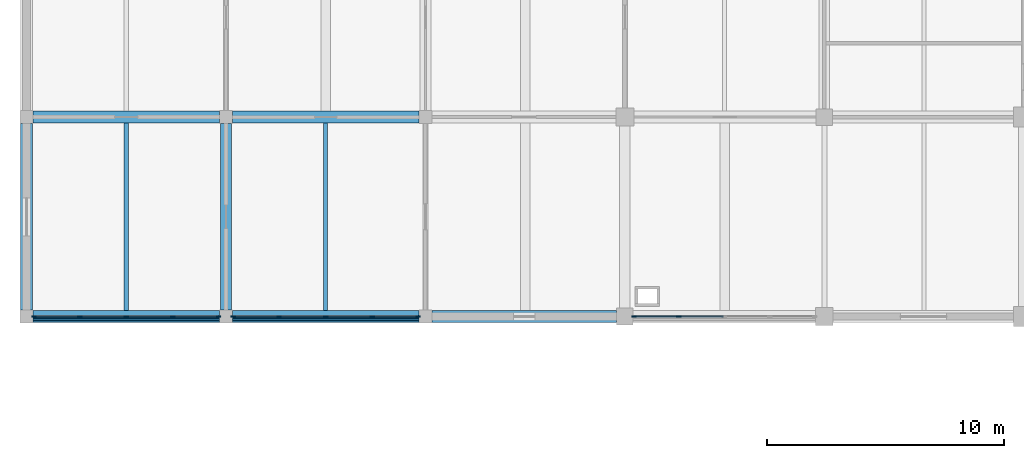
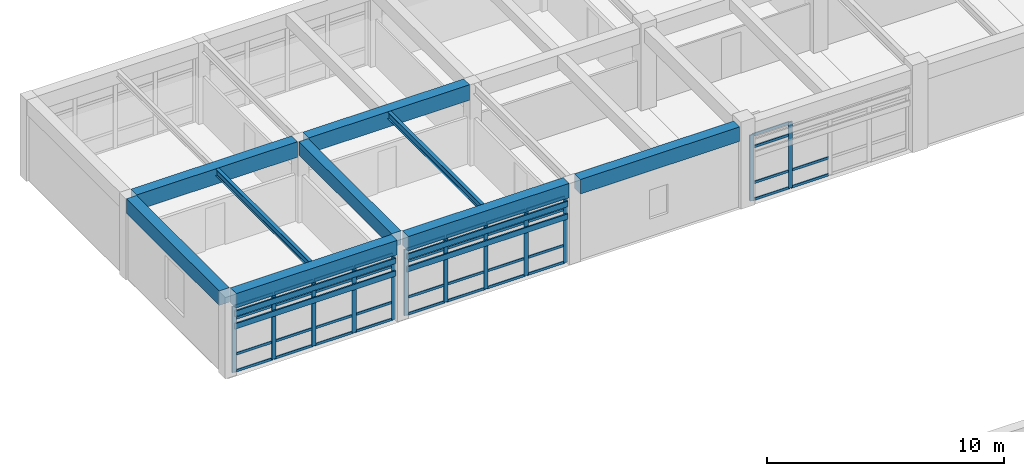
# One storey, part 26 of 99: 54 members, 9 beams, 3 elements without a shape of their own.
"""IFC4 building model written with IfcOpenShell, lengths in metres."""

from ifc_helpers import new_model, si_unit, direction, frame, origin, origin_2d, place, context, subcontext, project, spatial, rectangle, i_section, extrude, material, layer, layer_set, material_profile, profile_set, type_object, element, aggregate, save


model = new_model("IFC4")

# Units and contexts
model_context = context("Model", 3, precision=1e-05, world=origin(), true_north=direction((0.0, 1.0)))
body_context = subcontext(model_context, "Body", "Model", "MODEL_VIEW")
ifc_project = project(units=[si_unit("LENGTHUNIT", "METRE"), si_unit("AREAUNIT", "SQUARE_METRE"), si_unit("VOLUMEUNIT", "CUBIC_METRE"), si_unit("PLANEANGLEUNIT", "RADIAN"), si_unit("MASSUNIT", "GRAM", prefix="KILO")], contexts=[model_context])

# Site, building, storey
site_placement = place(None, origin())
site = spatial("IfcSite", under=ifc_project, at=site_placement, CompositionType="ELEMENT")
building_placement = place(site_placement, origin())
building = spatial("IfcBuilding", under=site, at=building_placement, Name="Porcellanite Civic Hall", CompositionType="ELEMENT")
storey_placement = place(building_placement, frame((0.0, 0.0, 5.760009765625)))
storey = spatial("IfcBuildingStorey", under=building, at=storey_placement, Name="L01", CompositionType="ELEMENT", Elevation=5.760009765625)

# Beams
ifc_material_1 = material(Name="Concrete N50 (50 MPa)", Category="concrete")
ifc_material_profile_1 = material_profile(ifc_material_1, rectangle(XDim=0.449951171875, YDim=0.699951171875, at=origin_2d()), Name="RC-450x700")
ifc_profile_set_1 = profile_set([ifc_material_profile_1], Name="Concrete N50 (50 MPa)")
beam_type_1 = type_object("IfcBeamType", Name="BM-RC700", PredefinedType="BEAM", material=ifc_profile_set_1)
beam_1_placement = place(storey_placement, frame((8.39990234375, 101.074462890625, 3.85009765625), z_axis=(0.0, 1.0, 0.0), x_axis=(-1.0, 0.0, 0.0)))
element("IfcBeam", 1, at=beam_1_placement, inside=storey, type_object=beam_type_1, Name="Beam Y L01 2-13", PredefinedType="BEAM", context=body_context, shape_type="SweptSolid", body=[
    extrude(rectangle(XDim=0.449951171875, YDim=0.699951171875, at=origin_2d()), origin(), (0.0, 0.0, 1.0), 7.85107421875),
])
ifc_material_2 = material(Name="Concrete N50 (50 MPa)", Category="concrete")
ifc_material_profile_2 = material_profile(ifc_material_2, rectangle(XDim=0.5, YDim=0.75, at=origin_2d()), Name="RC-500x750")
ifc_profile_set_2 = profile_set([ifc_material_profile_2], Name="Concrete N50 (50 MPa)")
beam_type_2 = type_object("IfcBeamType", Name="BM-RC750", PredefinedType="SPANDREL", material=ifc_profile_set_2)
beam_2_placement = place(storey_placement, frame((0.2744140625, 100.800048828125, 3.824951171875), z_axis=(1.0, 0.0, 0.0), x_axis=(0.0, 1.0, 0.0)))
element("IfcBeam", 2, at=beam_2_placement, inside=storey, type_object=beam_type_2, Name="Beam X L01 1-13", PredefinedType="SPANDREL", context=body_context, shape_type="SweptSolid", body=[
    extrude(rectangle(XDim=0.5, YDim=0.75, at=origin_2d()), origin(), (0.0, 0.0, 1.0), 7.85107421875),
])
beam_3_placement = place(storey_placement, frame((8.674560546875, 100.800048828125, 3.824951171875), z_axis=(1.0, 0.0, 0.0), x_axis=(0.0, 1.0, 0.0)))
element("IfcBeam", 3, at=beam_3_placement, inside=storey, type_object=beam_type_2, Name="Beam X L01 2-13", PredefinedType="SPANDREL", context=body_context, shape_type="SweptSolid", body=[
    extrude(rectangle(XDim=0.5, YDim=0.75, at=origin_2d()), origin(), (0.0, 0.0, 1.0), 7.850830078125),
])
beam_4_placement = place(storey_placement, frame((17.074462890625, 100.800048828125, 3.824951171875), z_axis=(1.0, 0.0, 0.0), x_axis=(0.0, 1.0, 0.0)))
element("IfcBeam", 4, at=beam_4_placement, inside=storey, type_object=beam_type_2, Name="Beam X L01 3-13", PredefinedType="SPANDREL", context=body_context, shape_type="SweptSolid", body=[
    extrude(rectangle(XDim=0.5, YDim=0.75, at=origin_2d()), origin(), (0.0, 0.0, 1.0), 7.776123046875),
])
beam_5_placement = place(storey_placement, frame((0.0, 101.074462890625, 3.824951171875), z_axis=(0.0, 1.0, 0.0), x_axis=(-1.0, 0.0, 0.0)))
element("IfcBeam", 5, at=beam_5_placement, inside=storey, type_object=beam_type_2, Name="Beam Y L01 1-13", PredefinedType="SPANDREL", context=body_context, shape_type="SweptSolid", body=[
    extrude(rectangle(XDim=0.5, YDim=0.75, at=origin_2d()), origin(), (0.0, 0.0, 1.0), 7.85107421875),
])
ifc_material_3 = material(Name="Concrete N50 (50 MPa)", Category="concrete")
ifc_material_profile_3 = material_profile(ifc_material_3, rectangle(XDim=0.5, YDim=0.800048828125, at=origin_2d()), Name="RC-500x800")
ifc_profile_set_3 = profile_set([ifc_material_profile_3], Name="Concrete N50 (50 MPa)")
beam_type_3 = type_object("IfcBeamType", Name="BM-RC800", PredefinedType="BEAM", material=ifc_profile_set_3)
beam_6_placement = place(storey_placement, frame((0.2744140625, 109.199951171875, 3.800048828125), z_axis=(1.0, 0.0, 0.0), x_axis=(0.0, 1.0, 0.0)))
element("IfcBeam", 6, at=beam_6_placement, inside=storey, type_object=beam_type_3, Name="Beam X L01 1-14", PredefinedType="BEAM", context=body_context, shape_type="SweptSolid", body=[
    extrude(rectangle(XDim=0.5, YDim=0.800048828125, at=origin_2d()), origin(), (0.0, 0.0, 1.0), 7.85107421875),
])
beam_7_placement = place(storey_placement, frame((8.674560546875, 109.199951171875, 3.800048828125), z_axis=(1.0, 0.0, 0.0), x_axis=(0.0, 1.0, 0.0)))
element("IfcBeam", 7, at=beam_7_placement, inside=storey, type_object=beam_type_3, Name="Beam X L01 2-14", PredefinedType="BEAM", context=body_context, shape_type="SweptSolid", body=[
    extrude(rectangle(XDim=0.5, YDim=0.800048828125, at=origin_2d()), origin(), (0.0, 0.0, 1.0), 7.850830078125),
])

# Curtain wall, members
ifc_material_4 = material(Name="Anodised aluminium and solar laminated glass", Category="aluminium")
ifc_layer = layer(ifc_material_4, 0.179931640625)
ifc_layer_set = layer_set([ifc_layer], Name="Anodised aluminium and solar laminated glass")
curtain_wall_type = type_object("IfcCurtainWallType", Name="CW-SYS05", PredefinedType="NOTDEFINED", material=ifc_layer_set)
curtain_wall_1_placement = place(storey_placement, origin())
curtain_wall_1 = element("IfcCurtainWall", 8, at=curtain_wall_1_placement, inside=storey, type_object=curtain_wall_type, Name="Curtain wall CW-064", PredefinedType="NOTDEFINED")
ifc_material_5 = material(Name="Anodised aluminium 6063-T6", Category="aluminium")
ifc_material_profile_4 = material_profile(ifc_material_5, rectangle(XDim=0.070068359375, YDim=0.199951171875, at=origin_2d()), Name="AL-70x200")
ifc_profile_set_4 = profile_set([ifc_material_profile_4], Name="Anodised aluminium 6063-T6")
member_type_1 = type_object("IfcMemberType", Name="CWM-05", PredefinedType="MULLION", material=ifc_profile_set_4)
member_1_placement = place(storey_placement, frame((8.089111328125, 100.800048828125, 0.0), z_axis=(0.0, 0.0, 1.0), x_axis=(0.0, -1.0, 0.0)))
member_1 = element("IfcMember", 9, at=member_1_placement, type_object=member_type_1, Name="CW-064 mullion 1", PredefinedType="MULLION", context=body_context, shape_type="SweptSolid", body=[
    extrude(rectangle(XDim=0.070068359375, YDim=0.199951171875, at=origin_2d()), origin(), (0.0, 0.0, 1.0), 3.39990234375),
])
member_2_placement = place(storey_placement, frame((6.162109375, 100.800048828125, 0.0), z_axis=(0.0, 0.0, 1.0), x_axis=(0.0, -1.0, 0.0)))
member_2 = element("IfcMember", 10, at=member_2_placement, type_object=member_type_1, Name="CW-064 mullion 2", PredefinedType="MULLION", context=body_context, shape_type="SweptSolid", body=[
    extrude(rectangle(XDim=0.070068359375, YDim=0.199951171875, at=origin_2d()), origin(), (0.0, 0.0, 1.0), 3.39990234375),
])
member_3_placement = place(storey_placement, frame((4.199951171875, 100.800048828125, 0.0), z_axis=(0.0, 0.0, 1.0), x_axis=(0.0, -1.0, 0.0)))
member_3 = element("IfcMember", 11, at=member_3_placement, type_object=member_type_1, Name="CW-064 mullion 3", PredefinedType="MULLION", context=body_context, shape_type="SweptSolid", body=[
    extrude(rectangle(XDim=0.070068359375, YDim=0.199951171875, at=origin_2d()), origin(), (0.0, 0.0, 1.0), 3.39990234375),
])
member_4_placement = place(storey_placement, frame((2.238037109375, 100.800048828125, 0.0), z_axis=(0.0, 0.0, 1.0), x_axis=(0.0, -1.0, 0.0)))
member_4 = element("IfcMember", 12, at=member_4_placement, type_object=member_type_1, Name="CW-064 mullion 4", PredefinedType="MULLION", context=body_context, shape_type="SweptSolid", body=[
    extrude(rectangle(XDim=0.070068359375, YDim=0.199951171875, at=origin_2d()), origin(), (0.0, 0.0, 1.0), 3.39990234375),
])
member_5_placement = place(storey_placement, frame((0.31103515625, 100.800048828125, 0.0), z_axis=(0.0, 0.0, 1.0), x_axis=(0.0, -1.0, 0.0)))
member_5 = element("IfcMember", 13, at=member_5_placement, type_object=member_type_1, Name="CW-064 mullion 5", PredefinedType="MULLION", context=body_context, shape_type="SweptSolid", body=[
    extrude(rectangle(XDim=0.070068359375, YDim=0.199951171875, at=origin_2d()), origin(), (0.0, 0.0, 1.0), 3.39990234375),
])

curtain_wall_2_placement = place(storey_placement, origin())
curtain_wall_2 = element("IfcCurtainWall", 14, at=curtain_wall_2_placement, inside=storey, type_object=curtain_wall_type, Name="Curtain wall CW-067", PredefinedType="NOTDEFINED")
member_6_placement = place(storey_placement, frame((16.489013671875, 100.800048828125, 0.0), z_axis=(0.0, 0.0, 1.0), x_axis=(0.0, -1.0, 0.0)))
member_6 = element("IfcMember", 15, at=member_6_placement, type_object=member_type_1, Name="CW-067 mullion 1", PredefinedType="MULLION", context=body_context, shape_type="SweptSolid", body=[
    extrude(rectangle(XDim=0.070068359375, YDim=0.199951171875, at=origin_2d()), origin(), (0.0, 0.0, 1.0), 3.39990234375),
])
member_7_placement = place(storey_placement, frame((14.56201171875, 100.800048828125, 0.0), z_axis=(0.0, 0.0, 1.0), x_axis=(0.0, -1.0, 0.0)))
member_7 = element("IfcMember", 16, at=member_7_placement, type_object=member_type_1, Name="CW-067 mullion 2", PredefinedType="MULLION", context=body_context, shape_type="SweptSolid", body=[
    extrude(rectangle(XDim=0.070068359375, YDim=0.199951171875, at=origin_2d()), origin(), (0.0, 0.0, 1.0), 3.39990234375),
])
member_8_placement = place(storey_placement, frame((12.60009765625, 100.800048828125, 0.0), z_axis=(0.0, 0.0, 1.0), x_axis=(0.0, -1.0, 0.0)))
member_8 = element("IfcMember", 17, at=member_8_placement, type_object=member_type_1, Name="CW-067 mullion 3", PredefinedType="MULLION", context=body_context, shape_type="SweptSolid", body=[
    extrude(rectangle(XDim=0.070068359375, YDim=0.199951171875, at=origin_2d()), origin(), (0.0, 0.0, 1.0), 3.39990234375),
])
member_9_placement = place(storey_placement, frame((10.637939453125, 100.800048828125, 0.0), z_axis=(0.0, 0.0, 1.0), x_axis=(0.0, -1.0, 0.0)))
member_9 = element("IfcMember", 18, at=member_9_placement, type_object=member_type_1, Name="CW-067 mullion 4", PredefinedType="MULLION", context=body_context, shape_type="SweptSolid", body=[
    extrude(rectangle(XDim=0.070068359375, YDim=0.199951171875, at=origin_2d()), origin(), (0.0, 0.0, 1.0), 3.39990234375),
])
member_10_placement = place(storey_placement, frame((8.7109375, 100.800048828125, 0.0), z_axis=(0.0, 0.0, 1.0), x_axis=(0.0, -1.0, 0.0)))
member_10 = element("IfcMember", 19, at=member_10_placement, type_object=member_type_1, Name="CW-067 mullion 5", PredefinedType="MULLION", context=body_context, shape_type="SweptSolid", body=[
    extrude(rectangle(XDim=0.070068359375, YDim=0.199951171875, at=origin_2d()), origin(), (0.0, 0.0, 1.0), 3.39990234375),
])

curtain_wall_3_placement = place(storey_placement, origin())
curtain_wall_3 = element("IfcCurtainWall", 20, at=curtain_wall_3_placement, inside=storey, type_object=curtain_wall_type, Name="Curtain wall CW-072", PredefinedType="NOTDEFINED")
member_11_placement = place(storey_placement, frame((27.46923828125, 100.800048828125, 0.0), z_axis=(0.0, 0.0, 1.0), x_axis=(0.0, -1.0, 0.0)))
member_11 = element("IfcMember", 21, at=member_11_placement, type_object=member_type_1, Name="CW-072 mullion 4", PredefinedType="MULLION", context=body_context, shape_type="SweptSolid", body=[
    extrude(rectangle(XDim=0.070068359375, YDim=0.199951171875, at=origin_2d()), origin(), (0.0, 0.0, 1.0), 3.39990234375),
])
member_12_placement = place(storey_placement, frame((25.5859375, 100.800048828125, 0.0), z_axis=(0.0, 0.0, 1.0), x_axis=(0.0, -1.0, 0.0)))
member_12 = element("IfcMember", 22, at=member_12_placement, type_object=member_type_1, Name="CW-072 mullion 5", PredefinedType="MULLION", context=body_context, shape_type="SweptSolid", body=[
    extrude(rectangle(XDim=0.070068359375, YDim=0.199951171875, at=origin_2d()), origin(), (0.0, 0.0, 1.0), 3.39990234375),
])

# Member
ifc_material_6 = material(Name="Anodised aluminium 6063-T6", Category="aluminium")
ifc_material_profile_5 = material_profile(ifc_material_6, rectangle(XDim=0.06005859375, YDim=0.1298828125, at=origin_2d()), Name="AL-60x130")
ifc_profile_set_5 = profile_set([ifc_material_profile_5], Name="Anodised aluminium 6063-T6")
member_type_2 = type_object("IfcMemberType", Name="CWT-03", PredefinedType="USERDEFINED", material=ifc_profile_set_5)
member_13_placement = place(storey_placement, frame((8.053955078125, 100.800048828125, 0.030029296875), z_axis=(-1.0, 0.0, 0.0), x_axis=(0.0, -1.0, 0.0)))
member_13 = element("IfcMember", 23, at=member_13_placement, type_object=member_type_2, Name="CW-064 transom 1.1", ObjectType="TRANSOM", PredefinedType="USERDEFINED", context=body_context, shape_type="SweptSolid", body=[
    extrude(rectangle(XDim=0.06005859375, YDim=0.1298828125, at=origin_2d()), origin(), (0.0, 0.0, 1.0), 1.85693359375),
])

member_14_placement = place(storey_placement, frame((8.053955078125, 100.800048828125, 0.89990234375), z_axis=(-1.0, 0.0, 0.0), x_axis=(0.0, -1.0, 0.0)))
member_14 = element("IfcMember", 24, at=member_14_placement, type_object=member_type_2, Name="CW-064 transom 1.2", ObjectType="TRANSOM", PredefinedType="USERDEFINED", context=body_context, shape_type="SweptSolid", body=[
    extrude(rectangle(XDim=0.06005859375, YDim=0.1298828125, at=origin_2d()), origin(), (0.0, 0.0, 1.0), 1.85693359375),
])

member_15_placement = place(storey_placement, frame((8.053955078125, 100.800048828125, 2.75), z_axis=(-1.0, 0.0, 0.0), x_axis=(0.0, -1.0, 0.0)))
member_15 = element("IfcMember", 25, at=member_15_placement, type_object=member_type_2, Name="CW-064 transom 1.3", ObjectType="TRANSOM", PredefinedType="USERDEFINED", context=body_context, shape_type="SweptSolid", body=[
    extrude(rectangle(XDim=0.06005859375, YDim=0.1298828125, at=origin_2d()), origin(), (0.0, 0.0, 1.0), 1.85693359375),
])

member_16_placement = place(storey_placement, frame((8.053955078125, 100.800048828125, 3.369873046875), z_axis=(-1.0, 0.0, 0.0), x_axis=(0.0, -1.0, 0.0)))
member_16 = element("IfcMember", 26, at=member_16_placement, type_object=member_type_2, Name="CW-064 transom 1.4", ObjectType="TRANSOM", PredefinedType="USERDEFINED", context=body_context, shape_type="SweptSolid", body=[
    extrude(rectangle(XDim=0.06005859375, YDim=0.1298828125, at=origin_2d()), origin(), (0.0, 0.0, 1.0), 1.85693359375),
])

member_17_placement = place(storey_placement, frame((6.126953125, 100.800048828125, 0.030029296875), z_axis=(-1.0, 0.0, 0.0), x_axis=(0.0, -1.0, 0.0)))
member_17 = element("IfcMember", 27, at=member_17_placement, type_object=member_type_2, Name="CW-064 transom 2.1", ObjectType="TRANSOM", PredefinedType="USERDEFINED", context=body_context, shape_type="SweptSolid", body=[
    extrude(rectangle(XDim=0.06005859375, YDim=0.1298828125, at=origin_2d()), origin(), (0.0, 0.0, 1.0), 1.891845703125),
])

member_18_placement = place(storey_placement, frame((6.126953125, 100.800048828125, 0.89990234375), z_axis=(-1.0, 0.0, 0.0), x_axis=(0.0, -1.0, 0.0)))
member_18 = element("IfcMember", 28, at=member_18_placement, type_object=member_type_2, Name="CW-064 transom 2.2", ObjectType="TRANSOM", PredefinedType="USERDEFINED", context=body_context, shape_type="SweptSolid", body=[
    extrude(rectangle(XDim=0.06005859375, YDim=0.1298828125, at=origin_2d()), origin(), (0.0, 0.0, 1.0), 1.891845703125),
])

member_19_placement = place(storey_placement, frame((6.126953125, 100.800048828125, 2.75), z_axis=(-1.0, 0.0, 0.0), x_axis=(0.0, -1.0, 0.0)))
member_19 = element("IfcMember", 29, at=member_19_placement, type_object=member_type_2, Name="CW-064 transom 2.3", ObjectType="TRANSOM", PredefinedType="USERDEFINED", context=body_context, shape_type="SweptSolid", body=[
    extrude(rectangle(XDim=0.06005859375, YDim=0.1298828125, at=origin_2d()), origin(), (0.0, 0.0, 1.0), 1.891845703125),
])

member_20_placement = place(storey_placement, frame((6.126953125, 100.800048828125, 3.369873046875), z_axis=(-1.0, 0.0, 0.0), x_axis=(0.0, -1.0, 0.0)))
member_20 = element("IfcMember", 30, at=member_20_placement, type_object=member_type_2, Name="CW-064 transom 2.4", ObjectType="TRANSOM", PredefinedType="USERDEFINED", context=body_context, shape_type="SweptSolid", body=[
    extrude(rectangle(XDim=0.06005859375, YDim=0.1298828125, at=origin_2d()), origin(), (0.0, 0.0, 1.0), 1.891845703125),
])

member_21_placement = place(storey_placement, frame((4.1650390625, 100.800048828125, 0.030029296875), z_axis=(-1.0, 0.0, 0.0), x_axis=(0.0, -1.0, 0.0)))
member_21 = element("IfcMember", 31, at=member_21_placement, type_object=member_type_2, Name="CW-064 transom 3.1", ObjectType="TRANSOM", PredefinedType="USERDEFINED", context=body_context, shape_type="SweptSolid", body=[
    extrude(rectangle(XDim=0.06005859375, YDim=0.1298828125, at=origin_2d()), origin(), (0.0, 0.0, 1.0), 1.89208984375),
])

member_22_placement = place(storey_placement, frame((4.1650390625, 100.800048828125, 0.89990234375), z_axis=(-1.0, 0.0, 0.0), x_axis=(0.0, -1.0, 0.0)))
member_22 = element("IfcMember", 32, at=member_22_placement, type_object=member_type_2, Name="CW-064 transom 3.2", ObjectType="TRANSOM", PredefinedType="USERDEFINED", context=body_context, shape_type="SweptSolid", body=[
    extrude(rectangle(XDim=0.06005859375, YDim=0.1298828125, at=origin_2d()), origin(), (0.0, 0.0, 1.0), 1.89208984375),
])

member_23_placement = place(storey_placement, frame((4.1650390625, 100.800048828125, 2.75), z_axis=(-1.0, 0.0, 0.0), x_axis=(0.0, -1.0, 0.0)))
member_23 = element("IfcMember", 33, at=member_23_placement, type_object=member_type_2, Name="CW-064 transom 3.3", ObjectType="TRANSOM", PredefinedType="USERDEFINED", context=body_context, shape_type="SweptSolid", body=[
    extrude(rectangle(XDim=0.06005859375, YDim=0.1298828125, at=origin_2d()), origin(), (0.0, 0.0, 1.0), 1.89208984375),
])

member_24_placement = place(storey_placement, frame((4.1650390625, 100.800048828125, 3.369873046875), z_axis=(-1.0, 0.0, 0.0), x_axis=(0.0, -1.0, 0.0)))
member_24 = element("IfcMember", 34, at=member_24_placement, type_object=member_type_2, Name="CW-064 transom 3.4", ObjectType="TRANSOM", PredefinedType="USERDEFINED", context=body_context, shape_type="SweptSolid", body=[
    extrude(rectangle(XDim=0.06005859375, YDim=0.1298828125, at=origin_2d()), origin(), (0.0, 0.0, 1.0), 1.89208984375),
])

member_25_placement = place(storey_placement, frame((2.202880859375, 100.800048828125, 0.030029296875), z_axis=(-1.0, 0.0, 0.0), x_axis=(0.0, -1.0, 0.0)))
member_25 = element("IfcMember", 35, at=member_25_placement, type_object=member_type_2, Name="CW-064 transom 4.1", ObjectType="TRANSOM", PredefinedType="USERDEFINED", context=body_context, shape_type="SweptSolid", body=[
    extrude(rectangle(XDim=0.06005859375, YDim=0.1298828125, at=origin_2d()), origin(), (0.0, 0.0, 1.0), 1.85693359375),
])

member_26_placement = place(storey_placement, frame((2.202880859375, 100.800048828125, 0.89990234375), z_axis=(-1.0, 0.0, 0.0), x_axis=(0.0, -1.0, 0.0)))
member_26 = element("IfcMember", 36, at=member_26_placement, type_object=member_type_2, Name="CW-064 transom 4.2", ObjectType="TRANSOM", PredefinedType="USERDEFINED", context=body_context, shape_type="SweptSolid", body=[
    extrude(rectangle(XDim=0.06005859375, YDim=0.1298828125, at=origin_2d()), origin(), (0.0, 0.0, 1.0), 1.85693359375),
])

member_27_placement = place(storey_placement, frame((2.202880859375, 100.800048828125, 2.75), z_axis=(-1.0, 0.0, 0.0), x_axis=(0.0, -1.0, 0.0)))
member_27 = element("IfcMember", 37, at=member_27_placement, type_object=member_type_2, Name="CW-064 transom 4.3", ObjectType="TRANSOM", PredefinedType="USERDEFINED", context=body_context, shape_type="SweptSolid", body=[
    extrude(rectangle(XDim=0.06005859375, YDim=0.1298828125, at=origin_2d()), origin(), (0.0, 0.0, 1.0), 1.85693359375),
])

member_28_placement = place(storey_placement, frame((2.202880859375, 100.800048828125, 3.369873046875), z_axis=(-1.0, 0.0, 0.0), x_axis=(0.0, -1.0, 0.0)))
member_28 = element("IfcMember", 38, at=member_28_placement, type_object=member_type_2, Name="CW-064 transom 4.4", ObjectType="TRANSOM", PredefinedType="USERDEFINED", context=body_context, shape_type="SweptSolid", body=[
    extrude(rectangle(XDim=0.06005859375, YDim=0.1298828125, at=origin_2d()), origin(), (0.0, 0.0, 1.0), 1.85693359375),
])

aggregate(curtain_wall_1, [member_1, member_2, member_3, member_4, member_5, member_13, member_14, member_15, member_16, member_17, member_18, member_19, member_20, member_21, member_22, member_23, member_24, member_25, member_26, member_27, member_28])

member_29_placement = place(storey_placement, frame((16.4541015625, 100.800048828125, 0.030029296875), z_axis=(-1.0, 0.0, 0.0), x_axis=(0.0, -1.0, 0.0)))
member_29 = element("IfcMember", 39, at=member_29_placement, type_object=member_type_2, Name="CW-067 transom 1.1", ObjectType="TRANSOM", PredefinedType="USERDEFINED", context=body_context, shape_type="SweptSolid", body=[
    extrude(rectangle(XDim=0.06005859375, YDim=0.1298828125, at=origin_2d()), origin(), (0.0, 0.0, 1.0), 1.857177734375),
])

member_30_placement = place(storey_placement, frame((16.4541015625, 100.800048828125, 0.89990234375), z_axis=(-1.0, 0.0, 0.0), x_axis=(0.0, -1.0, 0.0)))
member_30 = element("IfcMember", 40, at=member_30_placement, type_object=member_type_2, Name="CW-067 transom 1.2", ObjectType="TRANSOM", PredefinedType="USERDEFINED", context=body_context, shape_type="SweptSolid", body=[
    extrude(rectangle(XDim=0.06005859375, YDim=0.1298828125, at=origin_2d()), origin(), (0.0, 0.0, 1.0), 1.857177734375),
])

member_31_placement = place(storey_placement, frame((16.4541015625, 100.800048828125, 2.75), z_axis=(-1.0, 0.0, 0.0), x_axis=(0.0, -1.0, 0.0)))
member_31 = element("IfcMember", 41, at=member_31_placement, type_object=member_type_2, Name="CW-067 transom 1.3", ObjectType="TRANSOM", PredefinedType="USERDEFINED", context=body_context, shape_type="SweptSolid", body=[
    extrude(rectangle(XDim=0.06005859375, YDim=0.1298828125, at=origin_2d()), origin(), (0.0, 0.0, 1.0), 1.857177734375),
])

member_32_placement = place(storey_placement, frame((16.4541015625, 100.800048828125, 3.369873046875), z_axis=(-1.0, 0.0, 0.0), x_axis=(0.0, -1.0, 0.0)))
member_32 = element("IfcMember", 42, at=member_32_placement, type_object=member_type_2, Name="CW-067 transom 1.4", ObjectType="TRANSOM", PredefinedType="USERDEFINED", context=body_context, shape_type="SweptSolid", body=[
    extrude(rectangle(XDim=0.06005859375, YDim=0.1298828125, at=origin_2d()), origin(), (0.0, 0.0, 1.0), 1.857177734375),
])

member_33_placement = place(storey_placement, frame((14.527099609375, 100.800048828125, 0.030029296875), z_axis=(-1.0, 0.0, 0.0), x_axis=(0.0, -1.0, 0.0)))
member_33 = element("IfcMember", 43, at=member_33_placement, type_object=member_type_2, Name="CW-067 transom 2.1", ObjectType="TRANSOM", PredefinedType="USERDEFINED", context=body_context, shape_type="SweptSolid", body=[
    extrude(rectangle(XDim=0.06005859375, YDim=0.1298828125, at=origin_2d()), origin(), (0.0, 0.0, 1.0), 1.89208984375),
])

member_34_placement = place(storey_placement, frame((14.527099609375, 100.800048828125, 0.89990234375), z_axis=(-1.0, 0.0, 0.0), x_axis=(0.0, -1.0, 0.0)))
member_34 = element("IfcMember", 44, at=member_34_placement, type_object=member_type_2, Name="CW-067 transom 2.2", ObjectType="TRANSOM", PredefinedType="USERDEFINED", context=body_context, shape_type="SweptSolid", body=[
    extrude(rectangle(XDim=0.06005859375, YDim=0.1298828125, at=origin_2d()), origin(), (0.0, 0.0, 1.0), 1.89208984375),
])

member_35_placement = place(storey_placement, frame((14.527099609375, 100.800048828125, 2.75), z_axis=(-1.0, 0.0, 0.0), x_axis=(0.0, -1.0, 0.0)))
member_35 = element("IfcMember", 45, at=member_35_placement, type_object=member_type_2, Name="CW-067 transom 2.3", ObjectType="TRANSOM", PredefinedType="USERDEFINED", context=body_context, shape_type="SweptSolid", body=[
    extrude(rectangle(XDim=0.06005859375, YDim=0.1298828125, at=origin_2d()), origin(), (0.0, 0.0, 1.0), 1.89208984375),
])

member_36_placement = place(storey_placement, frame((14.527099609375, 100.800048828125, 3.369873046875), z_axis=(-1.0, 0.0, 0.0), x_axis=(0.0, -1.0, 0.0)))
member_36 = element("IfcMember", 46, at=member_36_placement, type_object=member_type_2, Name="CW-067 transom 2.4", ObjectType="TRANSOM", PredefinedType="USERDEFINED", context=body_context, shape_type="SweptSolid", body=[
    extrude(rectangle(XDim=0.06005859375, YDim=0.1298828125, at=origin_2d()), origin(), (0.0, 0.0, 1.0), 1.89208984375),
])

member_37_placement = place(storey_placement, frame((12.56494140625, 100.800048828125, 0.030029296875), z_axis=(-1.0, 0.0, 0.0), x_axis=(0.0, -1.0, 0.0)))
member_37 = element("IfcMember", 47, at=member_37_placement, type_object=member_type_2, Name="CW-067 transom 3.1", ObjectType="TRANSOM", PredefinedType="USERDEFINED", context=body_context, shape_type="SweptSolid", body=[
    extrude(rectangle(XDim=0.06005859375, YDim=0.1298828125, at=origin_2d()), origin(), (0.0, 0.0, 1.0), 1.891845703125),
])

member_38_placement = place(storey_placement, frame((12.56494140625, 100.800048828125, 0.89990234375), z_axis=(-1.0, 0.0, 0.0), x_axis=(0.0, -1.0, 0.0)))
member_38 = element("IfcMember", 48, at=member_38_placement, type_object=member_type_2, Name="CW-067 transom 3.2", ObjectType="TRANSOM", PredefinedType="USERDEFINED", context=body_context, shape_type="SweptSolid", body=[
    extrude(rectangle(XDim=0.06005859375, YDim=0.1298828125, at=origin_2d()), origin(), (0.0, 0.0, 1.0), 1.891845703125),
])

member_39_placement = place(storey_placement, frame((12.56494140625, 100.800048828125, 2.75), z_axis=(-1.0, 0.0, 0.0), x_axis=(0.0, -1.0, 0.0)))
member_39 = element("IfcMember", 49, at=member_39_placement, type_object=member_type_2, Name="CW-067 transom 3.3", ObjectType="TRANSOM", PredefinedType="USERDEFINED", context=body_context, shape_type="SweptSolid", body=[
    extrude(rectangle(XDim=0.06005859375, YDim=0.1298828125, at=origin_2d()), origin(), (0.0, 0.0, 1.0), 1.891845703125),
])

member_40_placement = place(storey_placement, frame((12.56494140625, 100.800048828125, 3.369873046875), z_axis=(-1.0, 0.0, 0.0), x_axis=(0.0, -1.0, 0.0)))
member_40 = element("IfcMember", 50, at=member_40_placement, type_object=member_type_2, Name="CW-067 transom 3.4", ObjectType="TRANSOM", PredefinedType="USERDEFINED", context=body_context, shape_type="SweptSolid", body=[
    extrude(rectangle(XDim=0.06005859375, YDim=0.1298828125, at=origin_2d()), origin(), (0.0, 0.0, 1.0), 1.891845703125),
])

member_41_placement = place(storey_placement, frame((10.60302734375, 100.800048828125, 0.030029296875), z_axis=(-1.0, 0.0, 0.0), x_axis=(0.0, -1.0, 0.0)))
member_41 = element("IfcMember", 51, at=member_41_placement, type_object=member_type_2, Name="CW-067 transom 4.1", ObjectType="TRANSOM", PredefinedType="USERDEFINED", context=body_context, shape_type="SweptSolid", body=[
    extrude(rectangle(XDim=0.06005859375, YDim=0.1298828125, at=origin_2d()), origin(), (0.0, 0.0, 1.0), 1.85693359375),
])

member_42_placement = place(storey_placement, frame((10.60302734375, 100.800048828125, 0.89990234375), z_axis=(-1.0, 0.0, 0.0), x_axis=(0.0, -1.0, 0.0)))
member_42 = element("IfcMember", 52, at=member_42_placement, type_object=member_type_2, Name="CW-067 transom 4.2", ObjectType="TRANSOM", PredefinedType="USERDEFINED", context=body_context, shape_type="SweptSolid", body=[
    extrude(rectangle(XDim=0.06005859375, YDim=0.1298828125, at=origin_2d()), origin(), (0.0, 0.0, 1.0), 1.85693359375),
])

member_43_placement = place(storey_placement, frame((10.60302734375, 100.800048828125, 2.75), z_axis=(-1.0, 0.0, 0.0), x_axis=(0.0, -1.0, 0.0)))
member_43 = element("IfcMember", 53, at=member_43_placement, type_object=member_type_2, Name="CW-067 transom 4.3", ObjectType="TRANSOM", PredefinedType="USERDEFINED", context=body_context, shape_type="SweptSolid", body=[
    extrude(rectangle(XDim=0.06005859375, YDim=0.1298828125, at=origin_2d()), origin(), (0.0, 0.0, 1.0), 1.85693359375),
])

member_44_placement = place(storey_placement, frame((10.60302734375, 100.800048828125, 3.369873046875), z_axis=(-1.0, 0.0, 0.0), x_axis=(0.0, -1.0, 0.0)))
member_44 = element("IfcMember", 54, at=member_44_placement, type_object=member_type_2, Name="CW-067 transom 4.4", ObjectType="TRANSOM", PredefinedType="USERDEFINED", context=body_context, shape_type="SweptSolid", body=[
    extrude(rectangle(XDim=0.06005859375, YDim=0.1298828125, at=origin_2d()), origin(), (0.0, 0.0, 1.0), 1.85693359375),
])

aggregate(curtain_wall_2, [member_6, member_7, member_8, member_9, member_10, member_29, member_30, member_31, member_32, member_33, member_34, member_35, member_36, member_37, member_38, member_39, member_40, member_41, member_42, member_43, member_44])

member_45_placement = place(storey_placement, frame((29.3525390625, 100.800048828125, 0.030029296875), z_axis=(-1.0, 0.0, 0.0), x_axis=(0.0, -1.0, 0.0)))
member_45 = element("IfcMember", 55, at=member_45_placement, type_object=member_type_2, Name="CW-072 transom 3.1", ObjectType="TRANSOM", PredefinedType="USERDEFINED", context=body_context, shape_type="SweptSolid", body=[
    extrude(rectangle(XDim=0.06005859375, YDim=0.1298828125, at=origin_2d()), origin(), (0.0, 0.0, 1.0), 1.848388671875),
])

member_46_placement = place(storey_placement, frame((29.3525390625, 100.800048828125, 0.89990234375), z_axis=(-1.0, 0.0, 0.0), x_axis=(0.0, -1.0, 0.0)))
member_46 = element("IfcMember", 56, at=member_46_placement, type_object=member_type_2, Name="CW-072 transom 3.2", ObjectType="TRANSOM", PredefinedType="USERDEFINED", context=body_context, shape_type="SweptSolid", body=[
    extrude(rectangle(XDim=0.06005859375, YDim=0.1298828125, at=origin_2d()), origin(), (0.0, 0.0, 1.0), 1.848388671875),
])

member_47_placement = place(storey_placement, frame((27.434326171875, 100.800048828125, 0.030029296875), z_axis=(-1.0, 0.0, 0.0), x_axis=(0.0, -1.0, 0.0)))
member_47 = element("IfcMember", 57, at=member_47_placement, type_object=member_type_2, Name="CW-072 transom 4.1", ObjectType="TRANSOM", PredefinedType="USERDEFINED", context=body_context, shape_type="SweptSolid", body=[
    extrude(rectangle(XDim=0.06005859375, YDim=0.1298828125, at=origin_2d()), origin(), (0.0, 0.0, 1.0), 1.813232421875),
])

member_48_placement = place(storey_placement, frame((27.434326171875, 100.800048828125, 0.89990234375), z_axis=(-1.0, 0.0, 0.0), x_axis=(0.0, -1.0, 0.0)))
member_48 = element("IfcMember", 58, at=member_48_placement, type_object=member_type_2, Name="CW-072 transom 4.2", ObjectType="TRANSOM", PredefinedType="USERDEFINED", context=body_context, shape_type="SweptSolid", body=[
    extrude(rectangle(XDim=0.06005859375, YDim=0.1298828125, at=origin_2d()), origin(), (0.0, 0.0, 1.0), 1.813232421875),
])

member_49_placement = place(storey_placement, frame((27.434326171875, 100.800048828125, 2.75), z_axis=(-1.0, 0.0, 0.0), x_axis=(0.0, -1.0, 0.0)))
member_49 = element("IfcMember", 59, at=member_49_placement, type_object=member_type_2, Name="CW-072 transom 4.3", ObjectType="TRANSOM", PredefinedType="USERDEFINED", context=body_context, shape_type="SweptSolid", body=[
    extrude(rectangle(XDim=0.06005859375, YDim=0.1298828125, at=origin_2d()), origin(), (0.0, 0.0, 1.0), 1.813232421875),
])

member_50_placement = place(storey_placement, frame((27.434326171875, 100.800048828125, 3.369873046875), z_axis=(-1.0, 0.0, 0.0), x_axis=(0.0, -1.0, 0.0)))
member_50 = element("IfcMember", 60, at=member_50_placement, type_object=member_type_2, Name="CW-072 transom 4.4", ObjectType="TRANSOM", PredefinedType="USERDEFINED", context=body_context, shape_type="SweptSolid", body=[
    extrude(rectangle(XDim=0.06005859375, YDim=0.1298828125, at=origin_2d()), origin(), (0.0, 0.0, 1.0), 1.813232421875),
])

aggregate(curtain_wall_3, [member_11, member_12, member_45, member_46, member_47, member_48, member_49, member_50])

# Beams
ifc_material_7 = material(Name="Steel Grade 350", Category="steel")
ifc_material_profile_6 = material_profile(ifc_material_7, i_section(OverallWidth=0.1708984375, OverallDepth=0.35595703125, WebThickness=0.00732421875, FlangeThickness=0.011474609375, FilletRadius=0.011474609375, at=origin_2d()), Name="360UB50.7")
ifc_profile_set_6 = profile_set([ifc_material_profile_6], Name="Steel Grade 350")
beam_type_4 = type_object("IfcBeamType", Name="JST-360UB51", PredefinedType="JOIST", material=ifc_profile_set_6)
beam_8_placement = place(storey_placement, frame((12.60009765625, 101.049560546875, 4.02197265625), z_axis=(0.0, 1.0, 0.0), x_axis=(-1.0, 0.0, 0.0)))
element("IfcBeam", 61, at=beam_8_placement, inside=storey, type_object=beam_type_4, Name="Secondary joist L01 2-13", PredefinedType="JOIST", context=body_context, shape_type="SweptSolid", body=[
    extrude(i_section(OverallWidth=0.1708984375, OverallDepth=0.35595703125, WebThickness=0.00732421875, FlangeThickness=0.011474609375, FilletRadius=0.011474609375, at=origin_2d()), origin(), (0.0, 0.0, 1.0), 7.90087890625),
])
ifc_material_8 = material(Name="Steel Grade 350", Category="steel")
ifc_material_profile_7 = material_profile(ifc_material_8, i_section(OverallWidth=0.172119140625, OverallDepth=0.35888671875, WebThickness=0.008056640625, FlangeThickness=0.012939453125, FilletRadius=0.011474609375, at=origin_2d()), Name="360UB56.7")
ifc_profile_set_7 = profile_set([ifc_material_profile_7], Name="Steel Grade 350")
beam_type_5 = type_object("IfcBeamType", Name="JST-360UB57", PredefinedType="JOIST", material=ifc_profile_set_7)
beam_9_placement = place(storey_placement, frame((4.199951171875, 101.049560546875, 4.0205078125), z_axis=(0.0, 1.0, 0.0), x_axis=(-1.0, 0.0, 0.0)))
element("IfcBeam", 62, at=beam_9_placement, inside=storey, type_object=beam_type_5, Name="Secondary joist L01 1-13", PredefinedType="JOIST", context=body_context, shape_type="SweptSolid", body=[
    extrude(i_section(OverallWidth=0.172119140625, OverallDepth=0.35888671875, WebThickness=0.008056640625, FlangeThickness=0.012939453125, FilletRadius=0.011474609375, at=origin_2d()), origin(), (0.0, 0.0, 1.0), 7.90087890625),
])

# Members
ifc_material_9 = material(Name="Fluoropolymer bauxite-red aluminium 6063-T6", Category="aluminium")
ifc_material_profile_8 = material_profile(ifc_material_9, rectangle(XDim=0.070068359375, YDim=0.280029296875, at=origin_2d()), Name="AL-70x280")
ifc_profile_set_8 = profile_set([ifc_material_profile_8], Name="Fluoropolymer bauxite-red aluminium 6063-T6")
member_type_3 = type_object("IfcMemberType", Name="LV-BLD05", PredefinedType="USERDEFINED", material=ifc_profile_set_8)
for number, where, z_axis, x_axis, name in (
    (63, (8.12548828125, 100.6630859375, 3.10009765625), (-1.0, 0.0, 0.0), (0.0, -1.0, 0.0), "Cyclone sunshade louvre L01 S 0-12 1"),
    (64, (8.12548828125, 100.6630859375, 2.449951171875), (-1.0, 0.0, 0.0), (0.0, -1.0, 0.0), "Cyclone sunshade louvre L01 S 0-12 2"),
):
    element("IfcMember", number, at=place(storey_placement, frame(where, z_axis=z_axis, x_axis=x_axis)), inside=storey, type_object=member_type_3, Name=name, ObjectType="LOUVRE BLADE", PredefinedType="USERDEFINED", context=body_context, shape_type="SweptSolid", body=[
        extrude(rectangle(XDim=0.070068359375, YDim=0.280029296875, at=origin_2d()), origin(), (0.0, 0.0, 1.0), 7.85107421875),
    ])
for number, where, z_axis, x_axis, name in (
    (65, (16.525390625, 100.6630859375, 3.10009765625), (-1.0, 0.0, 0.0), (0.0, -1.0, 0.0), "Cyclone sunshade louvre L01 S 1-12 1"),
    (66, (16.525390625, 100.6630859375, 2.449951171875), (-1.0, 0.0, 0.0), (0.0, -1.0, 0.0), "Cyclone sunshade louvre L01 S 1-12 2"),
):
    element("IfcMember", number, at=place(storey_placement, frame(where, z_axis=z_axis, x_axis=x_axis)), inside=storey, type_object=member_type_3, Name=name, ObjectType="LOUVRE BLADE", PredefinedType="USERDEFINED", context=body_context, shape_type="SweptSolid", body=[
        extrude(rectangle(XDim=0.070068359375, YDim=0.280029296875, at=origin_2d()), origin(), (0.0, 0.0, 1.0), 7.850830078125),
    ])

save(model, "model.ifc")
